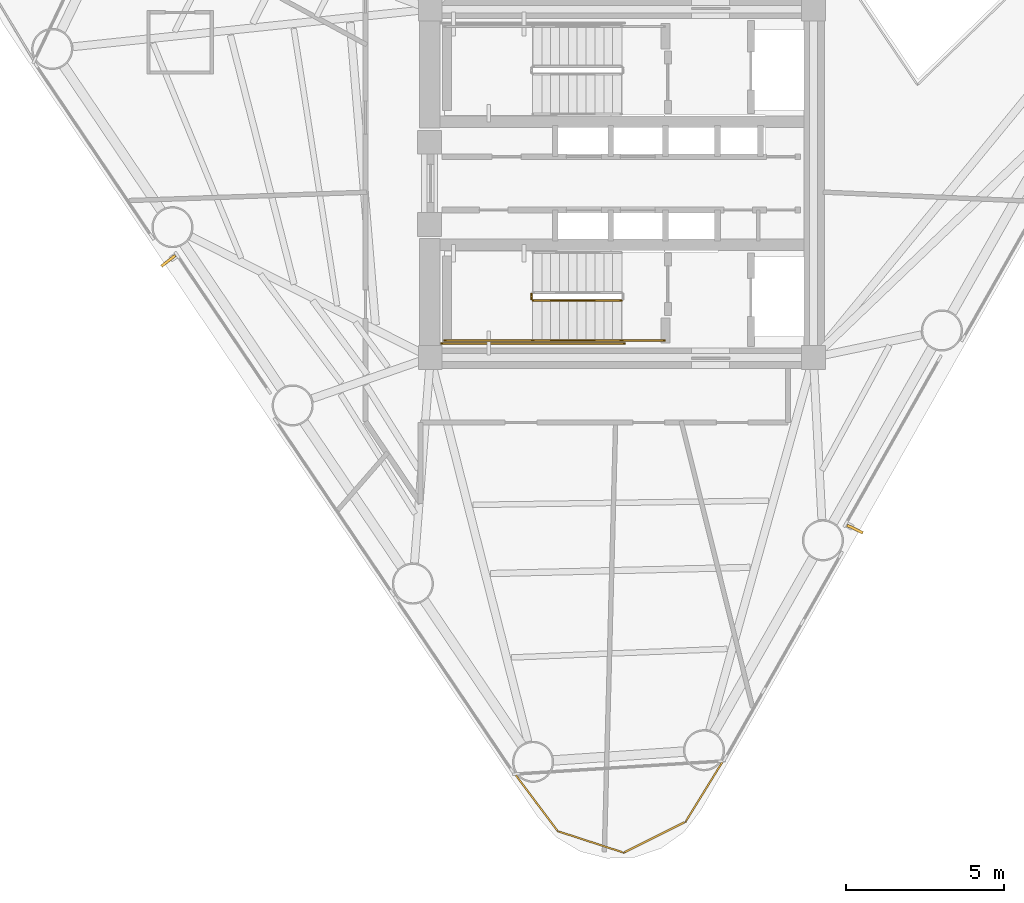
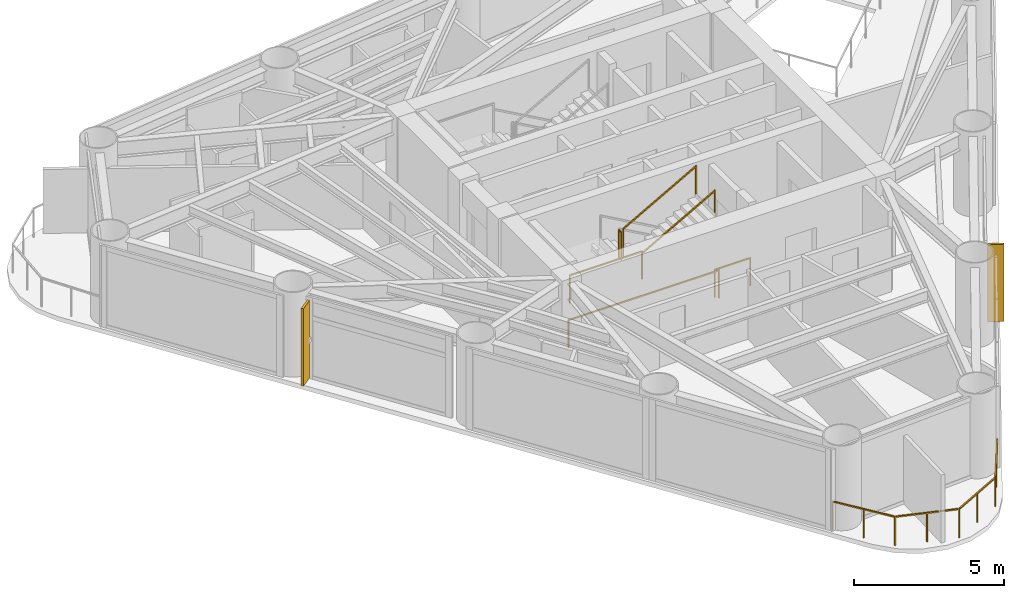
# One storey, part 7 of 9: 7 railings, 2 shading devices.
"""IFC4 building model written with IfcOpenShell, lengths in metres."""

from ifc_helpers import new_model, si_unit, direction, frame, origin, origin_2d, place, context, subcontext, project, spatial, rectangle, extrude, source, transform, mapped, material, material_profile, profile_set, type_object, element, save


model = new_model("IFC4")

# Units and contexts
model_context = context("Model", 3, precision=1e-05, world=origin(), true_north=direction((0.0, 1.0)))
body_context = subcontext(model_context, "Body", "Model", "MODEL_VIEW")
ifc_project = project(units=[si_unit("LENGTHUNIT", "METRE"), si_unit("AREAUNIT", "SQUARE_METRE"), si_unit("VOLUMEUNIT", "CUBIC_METRE"), si_unit("PLANEANGLEUNIT", "RADIAN"), si_unit("MASSUNIT", "GRAM", prefix="KILO")], contexts=[model_context])

# Site, building, storey
site_placement = place(None, origin())
site = spatial("IfcSite", under=ifc_project, at=site_placement, CompositionType="ELEMENT")
building_placement = place(site_placement, origin())
building = spatial("IfcBuilding", under=site, at=building_placement, Name="Yunling Apex Tower", CompositionType="ELEMENT")
storey_placement = place(building_placement, frame((0.0, 0.0, 176.0)))
storey = spatial("IfcBuildingStorey", under=building, at=storey_placement, Name="L43", CompositionType="ELEMENT", Elevation=176.0)

# Railings
ifc_material_1 = material(Name="Bronze anodised aluminium", Category="aluminium")
railing_type_1 = type_object("IfcRailingType", Name="RL-BAL-1200", PredefinedType="BALUSTRADE", material=ifc_material_1)
railing_1_placement = place(storey_placement, frame((3.195068359375, -18.248046875, 0.0)))
element("IfcRailing", 1, at=railing_1_placement, inside=storey, type_object=railing_type_1, Name="RL-CRNSILL-L43-3", PredefinedType="BALUSTRADE", context=body_context, shape_type="SweptSolid", body=[
    extrude(rectangle(XDim=0.0439453125, YDim=0.0439453125, at=origin_2d()), origin(), (0.0, 0.0, 1.0), 1.199951171875),
    extrude(rectangle(XDim=0.0439453125, YDim=0.0439453125, at=origin_2d()), frame((-1.182861328125, -1.91845703125, 0.0)), (0.0, 0.0, 1.0), 1.199951171875),
    extrude(rectangle(XDim=0.050048828125, YDim=0.050048828125, at=origin_2d()), frame((-0.02001953125, -0.03271484375, 1.1748046875), z_axis=(-0.524828533939, -0.851207971041, 0.0), x_axis=(0.851207971041, -0.524828533939, 0.0)), (0.0, 0.0, 1.0), 2.17724609375),
    extrude(rectangle(XDim=0.0439453125, YDim=0.0439453125, at=origin_2d()), frame((-0.59130859375, -0.959228515625, 0.0)), (0.0, 0.0, 1.0), 1.14599609375),
    extrude(rectangle(XDim=0.0439453125, YDim=0.0439453125, at=origin_2d()), frame((-3.1376953125, -2.895751953125, 0.0)), (0.0, 0.0, 1.0), 1.199951171875),
    extrude(rectangle(XDim=0.050048828125, YDim=0.050048828125, at=origin_2d()), frame((-1.217041015625, -1.935546875, 1.1748046875), z_axis=(-0.894449531573, -0.447168911563, 0.0), x_axis=(0.447168911563, -0.894449531573, 0.0)), (0.0, 0.0, 1.0), 2.10888671875),
    extrude(rectangle(XDim=0.0439453125, YDim=0.0439453125, at=origin_2d()), frame((-2.16015625, -2.4072265625, 0.0)), (0.0, 0.0, 1.0), 1.14599609375),
    extrude(rectangle(XDim=0.0439453125, YDim=0.0439453125, at=origin_2d()), frame((-5.22265625, -2.216552734375, 0.0)), (0.0, 0.0, 1.0), 1.199951171875),
    extrude(rectangle(XDim=0.050048828125, YDim=0.050048828125, at=origin_2d()), frame((-3.174072265625, -2.8837890625, 1.1748046875), z_axis=(-0.950821112954, 0.309740554595, 0.0), x_axis=(-0.309740554595, -0.950821112954, 0.0)), (0.0, 0.0, 1.0), 2.1162109375),
    extrude(rectangle(XDim=0.0439453125, YDim=0.0439453125, at=origin_2d()), frame((-4.18017578125, -2.55615234375, 0.0)), (0.0, 0.0, 1.0), 1.14599609375),
    extrude(rectangle(XDim=0.0439453125, YDim=0.0439453125, at=origin_2d()), frame((-6.572021484375, -0.412841796875, 0.0)), (0.0, 0.0, 1.0), 1.199951171875),
    extrude(rectangle(XDim=0.050048828125, YDim=0.050048828125, at=origin_2d()), frame((-5.24560546875, -2.185791015625, 1.1748046875), z_axis=(-0.599028453381, 0.800727739023, 0.0), x_axis=(-0.800727739023, -0.599028453381, 0.0)), (0.0, 0.0, 1.0), 2.176025390625),
    extrude(rectangle(XDim=0.0439453125, YDim=0.0439453125, at=origin_2d()), frame((-5.8974609375, -1.314697265625, 0.0)), (0.0, 0.0, 1.0), 1.14599609375),
])
ifc_material_2 = material(Name="Steel Q355B", Category="steel")
railing_type_2 = type_object("IfcRailingType", Name="RL-GRD-1150", PredefinedType="GUARDRAIL", material=ifc_material_2)
railing_2_placement = place(storey_placement, frame((-2.860107421875, -3.5, 1.72509765625)))
element("IfcRailing", 2, at=railing_2_placement, inside=storey, type_object=railing_type_2, Name="L43 ST-2 stair guard 2", PredefinedType="GUARDRAIL", context=body_context, shape_type="SweptSolid", body=[
    extrude(rectangle(XDim=0.0439453125, YDim=0.0439453125, at=origin_2d()), origin(), (0.0, 0.0, 1.0), 1.14990234375),
    extrude(rectangle(XDim=0.0439453125, YDim=0.0439453125, at=origin_2d()), frame((0.0, -0.14990234375, 0.0)), (0.0, 0.0, 1.0), 1.14990234375),
    extrude(rectangle(XDim=0.050048828125, YDim=0.050048828125, at=origin_2d()), frame((0.0, -0.038330078125, 1.125), z_axis=(0.0, -1.0, 0.0), x_axis=(1.0, 0.0, 0.0)), (0.0, 0.0, 1.0), 0.0732421875),
])
railing_3_placement = place(storey_placement, frame((-2.81005859375, -4.9599609375, 1.72509765625)))
element("IfcRailing", 3, at=railing_3_placement, inside=storey, type_object=railing_type_2, Name="L43 ST-2 stair guard 3", PredefinedType="GUARDRAIL", context=body_context, shape_type="SweptSolid", body=[
    extrude(rectangle(XDim=0.0439453125, YDim=0.0439453125, at=origin_2d()), origin(), (0.0, 0.0, 1.0), 1.14990234375),
    extrude(rectangle(XDim=0.0439453125, YDim=0.0439453125, at=origin_2d()), frame((-2.7900390625, 0.0, 0.0)), (0.0, 0.0, 1.0), 1.14990234375),
    extrude(rectangle(XDim=0.050048828125, YDim=0.050048828125, at=origin_2d()), frame((-0.038330078125, 0.0, 1.125), z_axis=(-1.0, 0.0, 0.0), x_axis=(0.0, -1.0, 0.0)), (0.0, 0.0, 1.0), 2.71337890625),
])
railing_4_placement = place(storey_placement, frame((-2.81005859375, -3.699951171875, 1.8818359375)))
element("IfcRailing", 4, at=railing_4_placement, inside=storey, type_object=railing_type_2, Name="L43 ST-2 stair guard 4", PredefinedType="GUARDRAIL", context=body_context, shape_type="SweptSolid", body=[
    extrude(rectangle(XDim=0.0439453125, YDim=0.0439453125, at=origin_2d()), origin(), (0.0, 0.0, 1.0), 1.14990234375),
    extrude(rectangle(XDim=0.0439453125, YDim=0.0439453125, at=origin_2d()), frame((2.800048828125, 0.0, 1.568115234375)), (0.0, 0.0, 1.0), 1.14990234375),
    extrude(rectangle(XDim=0.050048828125, YDim=0.050048828125, at=origin_2d()), frame((0.033447265625, 0.0, 1.1435546875), z_axis=(0.872494340497, 0.0, 0.48862421737), x_axis=(0.0, 1.0, 0.0)), (0.0, 0.0, 1.0), 3.132568359375),
])
railing_5_placement = place(storey_placement, frame((1.35009765625, -4.9599609375, 0.0)))
element("IfcRailing", 5, at=railing_5_placement, inside=storey, type_object=railing_type_2, Name="L43 ST-2 stair guard 6", PredefinedType="GUARDRAIL", context=body_context, shape_type="SweptSolid", body=[
    extrude(rectangle(XDim=0.0439453125, YDim=0.0439453125, at=origin_2d()), origin(), (0.0, 0.0, 1.0), 1.14990234375),
    extrude(rectangle(XDim=0.0439453125, YDim=0.0439453125, at=origin_2d()), frame((-1.360107421875, 0.0, 0.0)), (0.0, 0.0, 1.0), 1.14990234375),
    extrude(rectangle(XDim=0.050048828125, YDim=0.050048828125, at=origin_2d()), frame((-0.038330078125, 0.0, 1.125), z_axis=(-1.0, 0.0, 0.0), x_axis=(0.0, -1.0, 0.0)), (0.0, 0.0, 1.0), 1.283447265625),
])
railing_6_placement = place(storey_placement, frame((0.090087890625, -5.06005859375, 0.0)))
element("IfcRailing", 6, at=railing_6_placement, inside=storey, type_object=railing_type_2, Name="L43 ST-2 stair guard 7", PredefinedType="GUARDRAIL", context=body_context, shape_type="SweptSolid", body=[
    extrude(rectangle(XDim=0.0439453125, YDim=0.0439453125, at=origin_2d()), origin(), (0.0, 0.0, 1.0), 1.14990234375),
    extrude(rectangle(XDim=0.0439453125, YDim=0.0439453125, at=origin_2d()), frame((-5.7900390625, 0.0, 0.0)), (0.0, 0.0, 1.0), 1.14990234375),
    extrude(rectangle(XDim=0.050048828125, YDim=0.050048828125, at=origin_2d()), frame((-0.038330078125, 0.0, 1.125), z_axis=(-1.0, 0.0, 0.0), x_axis=(0.0, -1.0, 0.0)), (0.0, 0.0, 1.0), 5.71337890625),
])
ifc_material_3 = material(Name="Silver anodised aluminium", Category="aluminium")
railing_type_3 = type_object("IfcRailingType", Name="RL-HND-900", PredefinedType="HANDRAIL", material=ifc_material_3)
railing_7_placement = place(storey_placement, frame((-2.81005859375, -4.9599609375, 1.8818359375)))
element("IfcRailing", 7, at=railing_7_placement, inside=storey, type_object=railing_type_3, Name="L43 ST-2 stair handrail 2", PredefinedType="HANDRAIL", context=body_context, shape_type="SweptSolid", body=[
    extrude(rectangle(XDim=0.0439453125, YDim=0.0439453125, at=origin_2d()), origin(), (0.0, 0.0, 1.0), 0.919921875),
    extrude(rectangle(XDim=0.0439453125, YDim=0.0439453125, at=origin_2d()), frame((2.800048828125, 0.0, 1.568115234375)), (0.0, 0.0, 1.0), 0.919921875),
    extrude(rectangle(XDim=0.050048828125, YDim=0.050048828125, at=origin_2d()), frame((0.033447265625, 0.0, 0.91357421875), z_axis=(0.872494340497, 0.0, 0.48862421737), x_axis=(0.0, 1.0, 0.0)), (0.0, 0.0, 1.0), 3.132568359375),
])

# Shading devices
ifc_material_profile = material_profile(ifc_material_1, rectangle(XDim=0.0849609375, YDim=0.550048828125, at=origin_2d()))
ifc_profile_set = profile_set([ifc_material_profile], Name="Bronze anodised aluminium")
shading_device_type = type_object("IfcShadingDeviceType", Name="FN-BRZ-3", PredefinedType="USERDEFINED", material=ifc_profile_set)
shared_shape = source(origin(), body_context, "Body", "SweptSolid", [
    extrude(rectangle(XDim=0.0849609375, YDim=0.550048828125, at=origin_2d()), origin(), (0.0, 0.0, 1.0), 3.14990234375),
])
for number, where, z_axis, x_axis, name in (
    (8, (7.364501953125, -10.9208984375, 0.06005859375), (0.0, 0.0, 1.0), (0.435073957475, 0.900394719846, 0.0), "CW-L43-F1-B2-FIN-01"),
    (9, (-14.3291015625, -2.45068359375, 0.06005859375), (0.0, 0.0, 1.0), (0.612217280034, -0.790689573744, 0.0), "CW-L43-F3-B2-FIN-01"),
):
    element("IfcShadingDevice", number, at=place(storey_placement, frame(where, z_axis=z_axis, x_axis=x_axis)), inside=storey, type_object=shading_device_type, Name=name, ObjectType="FIN", PredefinedType="USERDEFINED", context=body_context, shape_type="MappedRepresentation", body=[
        mapped(shared_shape, transform((0.0, 0.0, 0.0), scale=1.0)),
    ])

save(model, "model.ifc")
